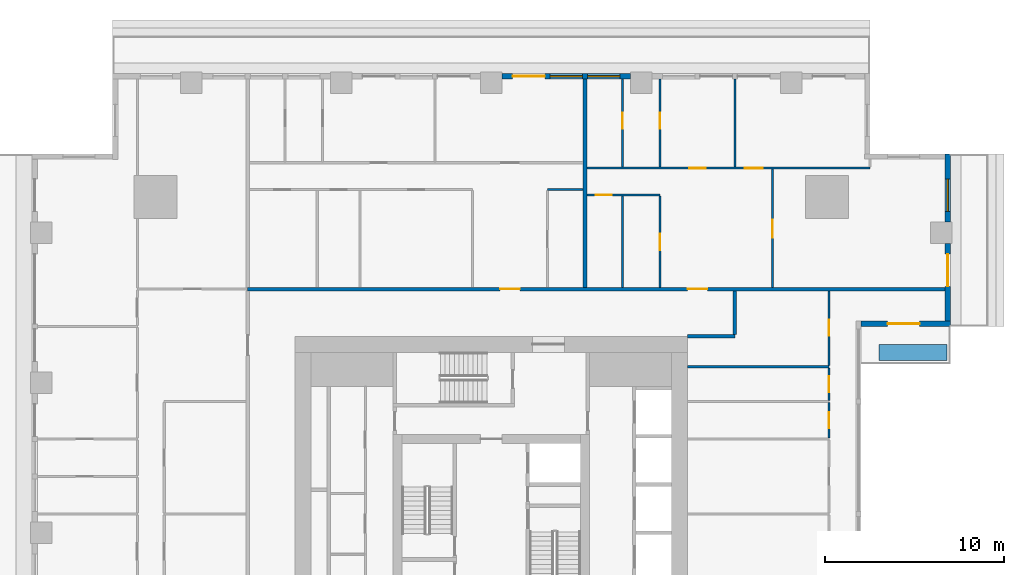
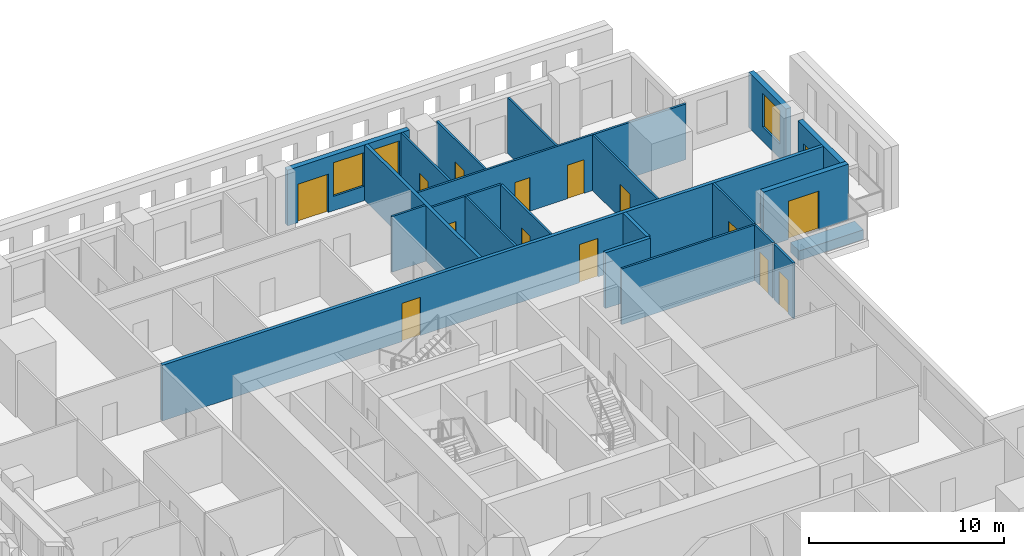
# One storey, part 8 of 15: 22 walls, 15 doors, 3 windows, 18 openings.
"""IFC4 building model written with IfcOpenShell, lengths in metres."""

from ifc_helpers import new_model, si_unit, direction, frame, frame_2d, origin, place, context, subcontext, project, spatial, rectangle, extrude, material, layer, layer_set, type_object, element, fill, save


model = new_model("IFC4")

# Units and contexts
model_context = context("Model", 3, precision=1e-05, world=origin(), true_north=direction((0.0, 1.0)))
body_context = subcontext(model_context, "Body", "Model", "MODEL_VIEW")
ifc_project = project(units=[si_unit("LENGTHUNIT", "METRE"), si_unit("AREAUNIT", "SQUARE_METRE"), si_unit("VOLUMEUNIT", "CUBIC_METRE"), si_unit("PLANEANGLEUNIT", "RADIAN"), si_unit("MASSUNIT", "GRAM", prefix="KILO")], contexts=[model_context])

# Site, building, storey
site_placement = place(None, origin())
site = spatial("IfcSite", under=ifc_project, at=site_placement, CompositionType="ELEMENT")
building_placement = place(site_placement, origin())
building = spatial("IfcBuilding", under=site, at=building_placement, Name="Khepri Terraces", CompositionType="ELEMENT")
storey_placement = place(building_placement, frame((0.0, 0.0, 219.60009765625)))
storey = spatial("IfcBuildingStorey", under=building, at=storey_placement, Name="L52", CompositionType="ELEMENT", Elevation=219.60009765625)

# Walls
ifc_material_1 = material(Name="Fire-rated gypsum plasterboard partition, mineral wool")
ifc_layer_1 = layer(ifc_material_1, 0.199951171875, Name="Fire-rated gypsum plasterboard partition, mineral wool")
ifc_layer_set_1 = layer_set([ifc_layer_1], Name="Fire-rated gypsum plasterboard partition, mineral wool")
wall_type_1 = type_object("IfcWallType", Name="WL-CORR-200", PredefinedType="PARTITIONING", material=ifc_layer_set_1)
wall_1_placement = place(storey_placement, frame((11.0, 11.0, 0.0), z_axis=(0.0, 0.0, 1.0), x_axis=(1.0, 0.0, 0.0)))
element("IfcWall", 1, at=wall_1_placement, inside=storey, type_object=wall_type_1, Name="Partition P-064 L52", PredefinedType="PARTITIONING", context=body_context, shape_type="SweptSolid", body=[
    extrude(rectangle(XDim=2.64990234375, YDim=0.199951171875, at=frame_2d((1.324951171875, 0.0))), origin(), (0.0, 0.0, 1.0), 3.47998046875),
])
wall_2_placement = place(storey_placement, frame((13.64990234375, 11.10009765625, 0.0), z_axis=(0.0, 0.0, 1.0), x_axis=(0.0, 1.0, 0.0)))
element("IfcWall", 2, at=wall_2_placement, inside=storey, type_object=wall_type_1, Name="Partition P-065 L52", PredefinedType="PARTITIONING", context=body_context, shape_type="SweptSolid", body=[
    extrude(rectangle(XDim=2.449951171875, YDim=0.199951171875, at=frame_2d((1.22509765625, 0.0))), origin(), (0.0, 0.0, 1.0), 3.47998046875),
])

# Wall, openings, doors
wall_3_placement = place(storey_placement, frame((-13.64990234375, 13.64990234375, 0.0), z_axis=(0.0, 0.0, 1.0), x_axis=(1.0, 0.0, 0.0)))
wall_3 = element("IfcWall", 3, at=wall_3_placement, inside=storey, type_object=wall_type_1, Name="Partition P-069 L52", PredefinedType="PARTITIONING", context=body_context, shape_type="SweptSolid", body=[
    extrude(rectangle(XDim=39.06982421875, YDim=0.199951171875, at=frame_2d((19.534912109375, 0.0))), origin(), (0.0, 0.0, 1.0), 3.47998046875),
])
opening_1_placement = place(wall_3_placement, frame((24.64990234375, 0.0, 0.0)))
opening_1 = element("IfcOpeningElement", 4, at=opening_1_placement, cuts=wall_3, Name="Opening D1", PredefinedType="OPENING", context=body_context, shape_type="SweptSolid", body=[
    extrude(rectangle(XDim=1.10009765625, YDim=2.39990234375, at=frame_2d((0.550048828125, 1.199951171875))), frame((0.0, 0.10986328125, 0.0), z_axis=(0.0, -1.0, 0.0), x_axis=(1.0, 0.0, 0.0)), (0.0, 0.0, 1.0), 0.219970703125),
])
opening_2_placement = place(wall_3_placement, frame((14.14990234375, 0.0, 0.0)))
opening_2 = element("IfcOpeningElement", 5, at=opening_2_placement, cuts=wall_3, Name="Opening D1", PredefinedType="OPENING", context=body_context, shape_type="SweptSolid", body=[
    extrude(rectangle(XDim=1.10009765625, YDim=2.39990234375, at=frame_2d((0.550048828125, 1.199951171875))), frame((0.0, 0.10986328125, 0.0), z_axis=(0.0, -1.0, 0.0), x_axis=(1.0, 0.0, 0.0)), (0.0, 0.0, 1.0), 0.219970703125),
])
ifc_material_2 = material(Name="Solid-core timber door leaf, flat entrance door", Category="wood")
door_type_1 = type_object("IfcDoorType", Name="DR-ENT-1100", OperationType="NOTDEFINED", PredefinedType="DOOR", material=ifc_material_2)
door_1_placement = place(opening_1_placement, origin())
door_1 = element("IfcDoor", 6, at=door_1_placement, inside=storey, type_object=door_type_1, Name="Flat C1 entrance door", OperationType="SINGLE_SWING_RIGHT", OverallHeight=2.39990234375, OverallWidth=1.10009765625, PredefinedType="DOOR", context=body_context, shape_type="SweptSolid", body=[
    extrude(rectangle(XDim=1.10009765625, YDim=2.39990234375, at=frame_2d((0.550048828125, 1.199951171875))), frame((0.0, 0.02490234375, 0.0), z_axis=(0.0, -1.0, 0.0), x_axis=(1.0, 0.0, 0.0)), (0.0, 0.0, 1.0), 0.050048828125),
])
fill(opening_1, door_1)
door_2_placement = place(opening_2_placement, origin())
door_2 = element("IfcDoor", 7, at=door_2_placement, inside=storey, type_object=door_type_1, Name="Flat C2 entrance door", OperationType="SINGLE_SWING_LEFT", OverallHeight=2.39990234375, OverallWidth=1.10009765625, PredefinedType="DOOR", context=body_context, shape_type="SweptSolid", body=[
    extrude(rectangle(XDim=1.10009765625, YDim=2.39990234375, at=frame_2d((0.550048828125, 1.199951171875))), frame((0.0, 0.02490234375, 0.0), z_axis=(0.0, -1.0, 0.0), x_axis=(1.0, 0.0, 0.0)), (0.0, 0.0, 1.0), 0.050048828125),
])
fill(opening_2, door_2)

# Wall
wall_4_placement = place(storey_placement, frame((5.25, 13.75, 0.0), z_axis=(0.0, 0.0, 1.0), x_axis=(0.0, 1.0, 0.0)))
element("IfcWall", 8, at=wall_4_placement, inside=storey, type_object=wall_type_1, Name="Partition P-076 L52", PredefinedType="PARTITIONING", context=body_context, shape_type="SweptSolid", body=[
    extrude(rectangle(XDim=11.669921875, YDim=0.199951171875, at=frame_2d((5.8349609375, 0.0))), origin(), (0.0, 0.0, 1.0), 3.47998046875),
])

# Wall, opening, door
ifc_material_3 = material(Name="Precast concrete C50/60 warm stone", Category="masonry")
ifc_layer_2 = layer(ifc_material_3, 0.300048828125, Name="Precast concrete C50/60 warm stone", Category="masonry")
ifc_layer_set_2 = layer_set([ifc_layer_2], Name="Precast concrete C50/60 warm stone")
wall_type_2 = type_object("IfcWallType", Name="WL-EXT-PRECAST-300", PredefinedType="STANDARD", material=ifc_layer_set_2)
wall_5_placement = place(storey_placement, frame((20.719970703125, 11.699951171875, 0.0), z_axis=(0.0, 0.0, 1.0), x_axis=(1.0, 0.0, 0.0)))
wall_5 = element("IfcWall", 9, at=wall_5_placement, inside=storey, type_object=wall_type_2, Name="External wall L52 S", PredefinedType="STANDARD", context=body_context, shape_type="SweptSolid", body=[
    extrude(rectangle(XDim=5.0, YDim=0.300048828125, at=frame_2d((2.5, 0.0))), origin(), (0.0, 0.0, 1.0), 3.47998046875),
])
opening_3_placement = place(wall_5_placement, frame((1.47998046875, 0.0, 0.0)))
opening_3 = element("IfcOpeningElement", 10, at=opening_3_placement, cuts=wall_5, Name="Opening ED-L52-04", PredefinedType="OPENING", context=body_context, shape_type="SweptSolid", body=[
    extrude(rectangle(XDim=1.800048828125, YDim=2.39990234375, at=frame_2d((0.89990234375, 1.199951171875))), frame((0.0, 0.16015625, 0.0), z_axis=(0.0, -1.0, 0.0), x_axis=(1.0, 0.0, 0.0)), (0.0, 0.0, 1.0), 0.320068359375),
])
ifc_material_4 = material(Name="Anodised aluminium bronze glazed door", Category="aluminium")
door_type_2 = type_object("IfcDoorType", Name="DR-BAL-SLIDE-1800x2400", OperationType="NOTDEFINED", PredefinedType="DOOR", material=ifc_material_4)
door_3_placement = place(opening_3_placement, origin())
door_3 = element("IfcDoor", 11, at=door_3_placement, inside=storey, type_object=door_type_2, Name="Balcony door L52 S", OperationType="SLIDING_TO_RIGHT", OverallHeight=2.39990234375, OverallWidth=1.800048828125, PredefinedType="DOOR", context=body_context, shape_type="SweptSolid", body=[
    extrude(rectangle(XDim=1.800048828125, YDim=2.39990234375, at=frame_2d((0.89990234375, 1.199951171875))), frame((0.0, 0.02490234375, 0.0), z_axis=(0.0, -1.0, 0.0), x_axis=(1.0, 0.0, 0.0)), (0.0, 0.0, 1.0), 0.050048828125),
])
fill(opening_3, door_3)

wall_6_placement = place(storey_placement, frame((25.570068359375, 11.85009765625, 0.0), z_axis=(0.0, 0.0, 1.0), x_axis=(0.0, 1.0, 0.0)))
wall_6 = element("IfcWall", 12, at=wall_6_placement, inside=storey, type_object=wall_type_2, Name="External wall L52 E", PredefinedType="STANDARD", context=body_context, shape_type="SweptSolid", body=[
    extrude(rectangle(XDim=4.349853515625, YDim=0.300048828125, at=frame_2d((2.1748046875, 0.0))), origin(), (0.0, 0.0, 1.0), 3.47998046875),
])
opening_4_placement = place(wall_6_placement, frame((1.949951171875, 0.0, 0.0)))
opening_4 = element("IfcOpeningElement", 13, at=opening_4_placement, cuts=wall_6, Name="Opening ED-L52-05", PredefinedType="OPENING", context=body_context, shape_type="SweptSolid", body=[
    extrude(rectangle(XDim=1.800048828125, YDim=2.39990234375, at=frame_2d((0.89990234375, 1.199951171875))), frame((0.0, 0.16015625, 0.0), z_axis=(0.0, -1.0, 0.0), x_axis=(1.0, 0.0, 0.0)), (0.0, 0.0, 1.0), 0.320068359375),
])
door_4_placement = place(opening_4_placement, origin())
door_4 = element("IfcDoor", 14, at=door_4_placement, inside=storey, type_object=door_type_2, Name="Balcony door L52 E", OperationType="SLIDING_TO_RIGHT", OverallHeight=2.39990234375, OverallWidth=1.800048828125, PredefinedType="DOOR", context=body_context, shape_type="SweptSolid", body=[
    extrude(rectangle(XDim=1.800048828125, YDim=2.39990234375, at=frame_2d((0.89990234375, 1.199951171875))), frame((0.0, 0.02490234375, 0.0), z_axis=(0.0, -1.0, 0.0), x_axis=(1.0, 0.0, 0.0)), (0.0, 0.0, 1.0), 0.050048828125),
])
fill(opening_4, door_4)

# Wall, opening, window
wall_7_placement = place(storey_placement, frame((25.570068359375, 17.39990234375, 0.0), z_axis=(0.0, 0.0, 1.0), x_axis=(0.0, 1.0, 0.0)))
wall_7 = element("IfcWall", 15, at=wall_7_placement, inside=storey, type_object=wall_type_2, Name="External wall L52 E", PredefinedType="STANDARD", context=body_context, shape_type="SweptSolid", body=[
    extrude(rectangle(XDim=3.820068359375, YDim=0.300048828125, at=frame_2d((1.91015625, 0.0))), origin(), (0.0, 0.0, 1.0), 3.47998046875),
])
opening_5_placement = place(wall_7_placement, frame((0.60009765625, 0.0, 0.89990234375)))
opening_5 = element("IfcOpeningElement", 16, at=opening_5_placement, cuts=wall_7, Name="Opening W1", PredefinedType="OPENING", context=body_context, shape_type="SweptSolid", body=[
    extrude(rectangle(XDim=1.800048828125, YDim=2.10009765625, at=frame_2d((0.89990234375, 1.050048828125))), frame((0.0, 0.16015625, 0.0), z_axis=(0.0, -1.0, 0.0), x_axis=(1.0, 0.0, 0.0)), (0.0, 0.0, 1.0), 0.320068359375),
])
ifc_material_5 = material(Name="Clear glass", Category="glass")
window_type = type_object("IfcWindowType", Name="WIN-RES-1800x2100", PartitioningType="SINGLE_PANEL", PredefinedType="WINDOW", material=ifc_material_5)
window_1_placement = place(opening_5_placement, origin())
window_1 = element("IfcWindow", 17, at=window_1_placement, inside=storey, type_object=window_type, Name="Window L52 E", OverallHeight=2.10009765625, OverallWidth=1.800048828125, PartitioningType="SINGLE_PANEL", PredefinedType="WINDOW", context=body_context, shape_type="SweptSolid", body=[
    extrude(rectangle(XDim=1.800048828125, YDim=2.10009765625, at=frame_2d((0.89990234375, 1.050048828125))), frame((0.0, 0.030029296875, 0.0), z_axis=(0.0, -1.0, 0.0), x_axis=(1.0, 0.0, 0.0)), (0.0, 0.0, 1.0), 0.06005859375),
])
fill(opening_5, window_1)

# Wall, openings, door, windows
wall_8_placement = place(storey_placement, frame((7.800048828125, 25.570068359375, 0.0), z_axis=(0.0, 0.0, 1.0), x_axis=(-1.0, 0.0, 0.0)))
wall_8 = element("IfcWall", 18, at=wall_8_placement, inside=storey, type_object=wall_type_2, Name="External wall L52 N", PredefinedType="STANDARD", context=body_context, shape_type="SweptSolid", body=[
    extrude(rectangle(XDim=7.199951171875, YDim=0.300048828125, at=frame_2d((3.60009765625, 0.0))), origin(), (0.0, 0.0, 1.0), 3.47998046875),
])
opening_6_placement = place(wall_8_placement, frame((0.60009765625, 0.0, 0.89990234375)))
opening_6 = element("IfcOpeningElement", 19, at=opening_6_placement, cuts=wall_8, Name="Opening W1", PredefinedType="OPENING", context=body_context, shape_type="SweptSolid", body=[
    extrude(rectangle(XDim=1.800048828125, YDim=2.10009765625, at=frame_2d((0.89990234375, 1.050048828125))), frame((0.0, 0.16015625, 0.0), z_axis=(0.0, -1.0, 0.0), x_axis=(1.0, 0.0, 0.0)), (0.0, 0.0, 1.0), 0.320068359375),
])
opening_7_placement = place(wall_8_placement, frame((2.699951171875, 0.0, 0.89990234375)))
opening_7 = element("IfcOpeningElement", 20, at=opening_7_placement, cuts=wall_8, Name="Opening W1", PredefinedType="OPENING", context=body_context, shape_type="SweptSolid", body=[
    extrude(rectangle(XDim=1.800048828125, YDim=2.10009765625, at=frame_2d((0.89990234375, 1.050048828125))), frame((0.0, 0.16015625, 0.0), z_axis=(0.0, -1.0, 0.0), x_axis=(1.0, 0.0, 0.0)), (0.0, 0.0, 1.0), 0.320068359375),
])
opening_8_placement = place(wall_8_placement, frame((4.800048828125, 0.0, 0.0)))
opening_8 = element("IfcOpeningElement", 21, at=opening_8_placement, cuts=wall_8, Name="Opening ED-L52-09", PredefinedType="OPENING", context=body_context, shape_type="SweptSolid", body=[
    extrude(rectangle(XDim=1.800048828125, YDim=2.39990234375, at=frame_2d((0.89990234375, 1.199951171875))), frame((0.0, 0.16015625, 0.0), z_axis=(0.0, -1.0, 0.0), x_axis=(1.0, 0.0, 0.0)), (0.0, 0.0, 1.0), 0.320068359375),
])
door_5_placement = place(opening_8_placement, origin())
door_5 = element("IfcDoor", 22, at=door_5_placement, inside=storey, type_object=door_type_2, Name="Balcony door L52 N", OperationType="SLIDING_TO_RIGHT", OverallHeight=2.39990234375, OverallWidth=1.800048828125, PredefinedType="DOOR", context=body_context, shape_type="SweptSolid", body=[
    extrude(rectangle(XDim=1.800048828125, YDim=2.39990234375, at=frame_2d((0.89990234375, 1.199951171875))), frame((0.0, 0.02490234375, 0.0), z_axis=(0.0, -1.0, 0.0), x_axis=(1.0, 0.0, 0.0)), (0.0, 0.0, 1.0), 0.050048828125),
])
fill(opening_8, door_5)
window_2_placement = place(opening_6_placement, origin())
window_2 = element("IfcWindow", 23, at=window_2_placement, inside=storey, type_object=window_type, Name="Window L52 N", OverallHeight=2.10009765625, OverallWidth=1.800048828125, PartitioningType="SINGLE_PANEL", PredefinedType="WINDOW", context=body_context, shape_type="SweptSolid", body=[
    extrude(rectangle(XDim=1.800048828125, YDim=2.10009765625, at=frame_2d((0.89990234375, 1.050048828125))), frame((0.0, 0.030029296875, 0.0), z_axis=(0.0, -1.0, 0.0), x_axis=(1.0, 0.0, 0.0)), (0.0, 0.0, 1.0), 0.06005859375),
])
fill(opening_6, window_2)
window_3_placement = place(opening_7_placement, origin())
window_3 = element("IfcWindow", 24, at=window_3_placement, inside=storey, type_object=window_type, Name="Window L52 N", OverallHeight=2.10009765625, OverallWidth=1.800048828125, PartitioningType="SINGLE_PANEL", PredefinedType="WINDOW", context=body_context, shape_type="SweptSolid", body=[
    extrude(rectangle(XDim=1.800048828125, YDim=2.10009765625, at=frame_2d((0.89990234375, 1.050048828125))), frame((0.0, 0.030029296875, 0.0), z_axis=(0.0, -1.0, 0.0), x_axis=(1.0, 0.0, 0.0)), (0.0, 0.0, 1.0), 0.06005859375),
])
fill(opening_7, window_3)

# Wall, opening, door
ifc_material_6 = material(Name="Gypsum plasterboard partition")
ifc_layer_3 = layer(ifc_material_6, 0.1201171875, Name="Gypsum plasterboard partition")
ifc_layer_set_3 = layer_set([ifc_layer_3], Name="Gypsum plasterboard partition")
wall_type_3 = type_object("IfcWallType", Name="WL-PART-120", PredefinedType="PARTITIONING", material=ifc_layer_set_3)
wall_9_placement = place(storey_placement, frame((18.919921875, 5.31005859375, 0.0), z_axis=(0.0, 0.0, 1.0), x_axis=(0.0, 1.0, 0.0)))
wall_9 = element("IfcWall", 25, at=wall_9_placement, inside=storey, type_object=wall_type_3, Name="Partition P-058 L52", PredefinedType="PARTITIONING", context=body_context, shape_type="SweptSolid", body=[
    extrude(rectangle(XDim=1.97998046875, YDim=0.1201171875, at=frame_2d((0.989990234375, 0.0))), origin(), (0.0, 0.0, 1.0), 3.47998046875),
])
opening_9_placement = place(wall_9_placement, frame((0.5400390625, 0.0, 0.0)))
opening_9 = element("IfcOpeningElement", 26, at=opening_9_placement, cuts=wall_9, Name="Opening D4", PredefinedType="OPENING", context=body_context, shape_type="SweptSolid", body=[
    extrude(rectangle(XDim=0.89990234375, YDim=2.10009765625, at=frame_2d((0.449951171875, 1.050048828125))), frame((0.0, 0.070068359375, 0.0), z_axis=(0.0, -1.0, 0.0), x_axis=(1.0, 0.0, 0.0)), (0.0, 0.0, 1.0), 0.14013671875),
])
ifc_material_7 = material(Name="Timber door leaf, moisture resistant", Category="wood")
door_type_3 = type_object("IfcDoorType", Name="DR-WET-900", OperationType="NOTDEFINED", PredefinedType="DOOR", material=ifc_material_7)
door_6_placement = place(opening_9_placement, origin())
door_6 = element("IfcDoor", 27, at=door_6_placement, inside=storey, type_object=door_type_3, Name="Door Powder Room", OperationType="SINGLE_SWING_RIGHT", OverallHeight=2.10009765625, OverallWidth=0.89990234375, PredefinedType="DOOR", context=body_context, shape_type="SweptSolid", body=[
    extrude(rectangle(XDim=0.89990234375, YDim=2.10009765625, at=frame_2d((0.449951171875, 1.050048828125))), frame((0.0, 0.02490234375, 0.0), z_axis=(0.0, -1.0, 0.0), x_axis=(1.0, 0.0, 0.0)), (0.0, 0.0, 1.0), 0.050048828125),
])
fill(opening_9, door_6)

wall_10_placement = place(storey_placement, frame((18.919921875, 7.409912109375, 0.0), z_axis=(0.0, 0.0, 1.0), x_axis=(0.0, 1.0, 0.0)))
wall_10 = element("IfcWall", 28, at=wall_10_placement, inside=storey, type_object=wall_type_3, Name="Partition P-061 L52", PredefinedType="PARTITIONING", context=body_context, shape_type="SweptSolid", body=[
    extrude(rectangle(XDim=1.830078125, YDim=0.1201171875, at=frame_2d((0.9150390625, 0.0))), origin(), (0.0, 0.0, 1.0), 3.47998046875),
])
opening_10_placement = place(wall_10_placement, frame((0.465087890625, 0.0, 0.0)))
opening_10 = element("IfcOpeningElement", 29, at=opening_10_placement, cuts=wall_10, Name="Opening D4", PredefinedType="OPENING", context=body_context, shape_type="SweptSolid", body=[
    extrude(rectangle(XDim=0.89990234375, YDim=2.10009765625, at=frame_2d((0.449951171875, 1.050048828125))), frame((0.0, 0.070068359375, 0.0), z_axis=(0.0, -1.0, 0.0), x_axis=(1.0, 0.0, 0.0)), (0.0, 0.0, 1.0), 0.14013671875),
])
door_7_placement = place(opening_10_placement, origin())
door_7 = element("IfcDoor", 30, at=door_7_placement, inside=storey, type_object=door_type_3, Name="Door Guest Bathroom", OperationType="SINGLE_SWING_LEFT", OverallHeight=2.10009765625, OverallWidth=0.89990234375, PredefinedType="DOOR", context=body_context, shape_type="SweptSolid", body=[
    extrude(rectangle(XDim=0.89990234375, YDim=2.10009765625, at=frame_2d((0.449951171875, 1.050048828125))), frame((0.0, 0.02490234375, 0.0), z_axis=(0.0, -1.0, 0.0), x_axis=(1.0, 0.0, 0.0)), (0.0, 0.0, 1.0), 0.050048828125),
])
fill(opening_10, door_7)

# Wall
wall_11_placement = place(storey_placement, frame((11.0, 9.300048828125, 0.0), z_axis=(0.0, 0.0, 1.0), x_axis=(1.0, 0.0, 0.0)))
element("IfcWall", 31, at=wall_11_placement, inside=storey, type_object=wall_type_3, Name="Partition P-062 L52", PredefinedType="PARTITIONING", context=body_context, shape_type="SweptSolid", body=[
    extrude(rectangle(XDim=7.919921875, YDim=0.1201171875, at=frame_2d((3.9599609375, 0.0))), origin(), (0.0, 0.0, 1.0), 3.47998046875),
])

# Wall, opening, door
wall_12_placement = place(storey_placement, frame((18.919921875, 9.360107421875, 0.0), z_axis=(0.0, 0.0, 1.0), x_axis=(0.0, 1.0, 0.0)))
wall_12 = element("IfcWall", 32, at=wall_12_placement, inside=storey, type_object=wall_type_3, Name="Partition P-063 L52", PredefinedType="PARTITIONING", context=body_context, shape_type="SweptSolid", body=[
    extrude(rectangle(XDim=4.18994140625, YDim=0.1201171875, at=frame_2d((2.094970703125, 0.0))), origin(), (0.0, 0.0, 1.0), 3.47998046875),
])
opening_11_placement = place(wall_12_placement, frame((1.6650390625, 0.0, 0.0)))
opening_11 = element("IfcOpeningElement", 33, at=opening_11_placement, cuts=wall_12, Name="Opening D3", PredefinedType="OPENING", context=body_context, shape_type="SweptSolid", body=[
    extrude(rectangle(XDim=0.89990234375, YDim=2.10009765625, at=frame_2d((0.449951171875, 1.050048828125))), frame((0.0, 0.070068359375, 0.0), z_axis=(0.0, -1.0, 0.0), x_axis=(1.0, 0.0, 0.0)), (0.0, 0.0, 1.0), 0.14013671875),
])
ifc_material_8 = material(Name="Timber door leaf", Category="wood")
door_type_4 = type_object("IfcDoorType", Name="DR-INT-900", OperationType="NOTDEFINED", PredefinedType="DOOR", material=ifc_material_8)
door_8_placement = place(opening_11_placement, origin())
door_8 = element("IfcDoor", 34, at=door_8_placement, inside=storey, type_object=door_type_4, Name="Door Library", OperationType="SINGLE_SWING_RIGHT", OverallHeight=2.10009765625, OverallWidth=0.89990234375, PredefinedType="DOOR", context=body_context, shape_type="SweptSolid", body=[
    extrude(rectangle(XDim=0.89990234375, YDim=2.10009765625, at=frame_2d((0.449951171875, 1.050048828125))), frame((0.0, 0.02490234375, 0.0), z_axis=(0.0, -1.0, 0.0), x_axis=(1.0, 0.0, 0.0)), (0.0, 0.0, 1.0), 0.050048828125),
])
fill(opening_11, door_8)

# Wall
wall_13_placement = place(storey_placement, frame((7.35009765625, 13.75, 0.0), z_axis=(0.0, 0.0, 1.0), x_axis=(0.0, 1.0, 0.0)))
element("IfcWall", 35, at=wall_13_placement, inside=storey, type_object=wall_type_3, Name="Partition P-077 L52", PredefinedType="PARTITIONING", context=body_context, shape_type="SweptSolid", body=[
    extrude(rectangle(XDim=5.110107421875, YDim=0.1201171875, at=frame_2d((2.55517578125, 0.0))), origin(), (0.0, 0.0, 1.0), 3.47998046875),
])

# Wall, opening, door
wall_14_placement = place(storey_placement, frame((9.449951171875, 13.75, 0.0), z_axis=(0.0, 0.0, 1.0), x_axis=(0.0, 1.0, 0.0)))
wall_14 = element("IfcWall", 36, at=wall_14_placement, inside=storey, type_object=wall_type_3, Name="Partition P-078 L52", PredefinedType="PARTITIONING", context=body_context, shape_type="SweptSolid", body=[
    extrude(rectangle(XDim=5.110107421875, YDim=0.1201171875, at=frame_2d((2.55517578125, 0.0))), origin(), (0.0, 0.0, 1.0), 3.47998046875),
])
opening_12_placement = place(wall_14_placement, frame((2.0849609375, 0.0, 0.0)))
opening_12 = element("IfcOpeningElement", 37, at=opening_12_placement, cuts=wall_14, Name="Opening D4", PredefinedType="OPENING", context=body_context, shape_type="SweptSolid", body=[
    extrude(rectangle(XDim=0.89990234375, YDim=2.10009765625, at=frame_2d((0.449951171875, 1.050048828125))), frame((0.0, 0.070068359375, 0.0), z_axis=(0.0, -1.0, 0.0), x_axis=(1.0, 0.0, 0.0)), (0.0, 0.0, 1.0), 0.14013671875),
])
door_9_placement = place(opening_12_placement, origin())
door_9 = element("IfcDoor", 38, at=door_9_placement, inside=storey, type_object=door_type_3, Name="Door Guest Bathroom", OperationType="SINGLE_SWING_LEFT", OverallHeight=2.10009765625, OverallWidth=0.89990234375, PredefinedType="DOOR", context=body_context, shape_type="SweptSolid", body=[
    extrude(rectangle(XDim=0.89990234375, YDim=2.10009765625, at=frame_2d((0.449951171875, 1.050048828125))), frame((0.0, 0.02490234375, 0.0), z_axis=(0.0, -1.0, 0.0), x_axis=(1.0, 0.0, 0.0)), (0.0, 0.0, 1.0), 0.050048828125),
])
fill(opening_12, door_9)

wall_15_placement = place(storey_placement, frame((15.75, 13.75, 0.0), z_axis=(0.0, 0.0, 1.0), x_axis=(0.0, 1.0, 0.0)))
wall_15 = element("IfcWall", 39, at=wall_15_placement, inside=storey, type_object=wall_type_3, Name="Partition P-079 L52", PredefinedType="PARTITIONING", context=body_context, shape_type="SweptSolid", body=[
    extrude(rectangle(XDim=6.610107421875, YDim=0.1201171875, at=frame_2d((3.30517578125, 0.0))), origin(), (0.0, 0.0, 1.0), 3.47998046875),
])
opening_13_placement = place(wall_15_placement, frame((2.784912109375, 0.0, 0.0)))
opening_13 = element("IfcOpeningElement", 40, at=opening_13_placement, cuts=wall_15, Name="Opening D2", PredefinedType="OPENING", context=body_context, shape_type="SweptSolid", body=[
    extrude(rectangle(XDim=1.0, YDim=2.10009765625, at=frame_2d((0.5, 1.050048828125))), frame((0.0, 0.070068359375, 0.0), z_axis=(0.0, -1.0, 0.0), x_axis=(1.0, 0.0, 0.0)), (0.0, 0.0, 1.0), 0.14013671875),
])
ifc_material_9 = material(Name="Timber door leaf, living room door", Category="wood")
door_type_5 = type_object("IfcDoorType", Name="DR-INT-1000", OperationType="NOTDEFINED", PredefinedType="DOOR", material=ifc_material_9)
door_10_placement = place(opening_13_placement, frame((1.0, 0.0, 0.0), z_axis=(0.0, 0.0, 1.0), x_axis=(-1.0, 0.0, 0.0)))
door_10 = element("IfcDoor", 41, at=door_10_placement, inside=storey, type_object=door_type_5, Name="Door Family Room", OperationType="SINGLE_SWING_RIGHT", OverallHeight=2.10009765625, OverallWidth=1.0, PredefinedType="DOOR", context=body_context, shape_type="SweptSolid", body=[
    extrude(rectangle(XDim=1.0, YDim=2.10009765625, at=frame_2d((0.5, 1.050048828125))), frame((0.0, 0.02490234375, 0.0), z_axis=(0.0, -1.0, 0.0), x_axis=(1.0, 0.0, 0.0)), (0.0, 0.0, 1.0), 0.050048828125),
])
fill(opening_13, door_10)

wall_16_placement = place(storey_placement, frame((5.35009765625, 18.919921875, 0.0), z_axis=(0.0, 0.0, 1.0), x_axis=(1.0, 0.0, 0.0)))
wall_16 = element("IfcWall", 42, at=wall_16_placement, inside=storey, type_object=wall_type_3, Name="Partition P-080 L52", PredefinedType="PARTITIONING", context=body_context, shape_type="SweptSolid", body=[
    extrude(rectangle(XDim=4.099853515625, YDim=0.1201171875, at=frame_2d((2.0498046875, 0.0))), origin(), (0.0, 0.0, 1.0), 3.47998046875),
])
opening_14_placement = place(wall_16_placement, frame((0.5, 0.0, 0.0)))
opening_14 = element("IfcOpeningElement", 43, at=opening_14_placement, cuts=wall_16, Name="Opening D3", PredefinedType="OPENING", context=body_context, shape_type="SweptSolid", body=[
    extrude(rectangle(XDim=0.89990234375, YDim=2.10009765625, at=frame_2d((0.449951171875, 1.050048828125))), frame((0.0, 0.070068359375, 0.0), z_axis=(0.0, -1.0, 0.0), x_axis=(1.0, 0.0, 0.0)), (0.0, 0.0, 1.0), 0.14013671875),
])
door_11_placement = place(opening_14_placement, frame((0.89990234375, 0.0, 0.0), z_axis=(0.0, 0.0, 1.0), x_axis=(-1.0, 0.0, 0.0)))
door_11 = element("IfcDoor", 44, at=door_11_placement, inside=storey, type_object=door_type_4, Name="Door Kitchen", OperationType="SINGLE_SWING_RIGHT", OverallHeight=2.10009765625, OverallWidth=0.89990234375, PredefinedType="DOOR", context=body_context, shape_type="SweptSolid", body=[
    extrude(rectangle(XDim=0.89990234375, YDim=2.10009765625, at=frame_2d((0.449951171875, 1.050048828125))), frame((0.0, 0.02490234375, 0.0), z_axis=(0.0, -1.0, 0.0), x_axis=(1.0, 0.0, 0.0)), (0.0, 0.0, 1.0), 0.050048828125),
])
fill(opening_14, door_11)

# Wall
wall_17_placement = place(storey_placement, frame((3.14990234375, 19.219970703125, 0.0), z_axis=(0.0, 0.0, 1.0), x_axis=(1.0, 0.0, 0.0)))
element("IfcWall", 45, at=wall_17_placement, inside=storey, type_object=wall_type_3, Name="Partition P-082 L52", PredefinedType="PARTITIONING", context=body_context, shape_type="SweptSolid", body=[
    extrude(rectangle(XDim=2.0, YDim=0.1201171875, at=frame_2d((1.0, 0.0))), origin(), (0.0, 0.0, 1.0), 3.47998046875),
])

# Wall, openings, doors
wall_18_placement = place(storey_placement, frame((5.35009765625, 20.419921875, 0.0), z_axis=(0.0, 0.0, 1.0), x_axis=(1.0, 0.0, 0.0)))
wall_18 = element("IfcWall", 46, at=wall_18_placement, inside=storey, type_object=wall_type_3, Name="Partition P-084 L52", PredefinedType="PARTITIONING", context=body_context, shape_type="SweptSolid", body=[
    extrude(rectangle(XDim=15.868896484375, YDim=0.1201171875, at=frame_2d((7.9345703125, 0.0))), origin(), (0.0, 0.0, 1.0), 3.47998046875),
])
opening_15_placement = place(wall_18_placement, frame((8.85009765625, 0.0, 0.0)))
opening_15 = element("IfcOpeningElement", 47, at=opening_15_placement, cuts=wall_18, Name="Opening D2", PredefinedType="OPENING", context=body_context, shape_type="SweptSolid", body=[
    extrude(rectangle(XDim=1.0, YDim=2.10009765625, at=frame_2d((0.5, 1.050048828125))), frame((0.0, 0.070068359375, 0.0), z_axis=(0.0, -1.0, 0.0), x_axis=(1.0, 0.0, 0.0)), (0.0, 0.0, 1.0), 0.14013671875),
])
opening_16_placement = place(wall_18_placement, frame((5.75, 0.0, 0.0)))
opening_16 = element("IfcOpeningElement", 48, at=opening_16_placement, cuts=wall_18, Name="Opening D3", PredefinedType="OPENING", context=body_context, shape_type="SweptSolid", body=[
    extrude(rectangle(XDim=0.89990234375, YDim=2.10009765625, at=frame_2d((0.449951171875, 1.050048828125))), frame((0.0, 0.070068359375, 0.0), z_axis=(0.0, -1.0, 0.0), x_axis=(1.0, 0.0, 0.0)), (0.0, 0.0, 1.0), 0.14013671875),
])
door_12_placement = place(opening_15_placement, origin())
door_12 = element("IfcDoor", 49, at=door_12_placement, inside=storey, type_object=door_type_5, Name="Door Sun Lounge", OperationType="SINGLE_SWING_RIGHT", OverallHeight=2.10009765625, OverallWidth=1.0, PredefinedType="DOOR", context=body_context, shape_type="SweptSolid", body=[
    extrude(rectangle(XDim=1.0, YDim=2.10009765625, at=frame_2d((0.5, 1.050048828125))), frame((0.0, 0.02490234375, 0.0), z_axis=(0.0, -1.0, 0.0), x_axis=(1.0, 0.0, 0.0)), (0.0, 0.0, 1.0), 0.050048828125),
])
fill(opening_15, door_12)
door_13_placement = place(opening_16_placement, origin())
door_13 = element("IfcDoor", 50, at=door_13_placement, inside=storey, type_object=door_type_4, Name="Door Master Bedroom", OperationType="SINGLE_SWING_LEFT", OverallHeight=2.10009765625, OverallWidth=0.89990234375, PredefinedType="DOOR", context=body_context, shape_type="SweptSolid", body=[
    extrude(rectangle(XDim=0.89990234375, YDim=2.10009765625, at=frame_2d((0.449951171875, 1.050048828125))), frame((0.0, 0.02490234375, 0.0), z_axis=(0.0, -1.0, 0.0), x_axis=(1.0, 0.0, 0.0)), (0.0, 0.0, 1.0), 0.050048828125),
])
fill(opening_16, door_13)

# Wall, opening, door
wall_19_placement = place(storey_placement, frame((7.35009765625, 20.47998046875, 0.0), z_axis=(0.0, 0.0, 1.0), x_axis=(0.0, 1.0, 0.0)))
wall_19 = element("IfcWall", 51, at=wall_19_placement, inside=storey, type_object=wall_type_3, Name="Partition P-085 L52", PredefinedType="PARTITIONING", context=body_context, shape_type="SweptSolid", body=[
    extrude(rectangle(XDim=4.93994140625, YDim=0.1201171875, at=frame_2d((2.469970703125, 0.0))), origin(), (0.0, 0.0, 1.0), 3.47998046875),
])
opening_17_placement = place(wall_19_placement, frame((2.139892578125, 0.0, 0.0)))
opening_17 = element("IfcOpeningElement", 52, at=opening_17_placement, cuts=wall_19, Name="Opening D4", PredefinedType="OPENING", context=body_context, shape_type="SweptSolid", body=[
    extrude(rectangle(XDim=0.89990234375, YDim=2.10009765625, at=frame_2d((0.449951171875, 1.050048828125))), frame((0.0, 0.070068359375, 0.0), z_axis=(0.0, -1.0, 0.0), x_axis=(1.0, 0.0, 0.0)), (0.0, 0.0, 1.0), 0.14013671875),
])
door_14_placement = place(opening_17_placement, origin())
door_14 = element("IfcDoor", 53, at=door_14_placement, inside=storey, type_object=door_type_3, Name="Door Bathroom", OperationType="SINGLE_SWING_RIGHT", OverallHeight=2.10009765625, OverallWidth=0.89990234375, PredefinedType="DOOR", context=body_context, shape_type="SweptSolid", body=[
    extrude(rectangle(XDim=0.89990234375, YDim=2.10009765625, at=frame_2d((0.449951171875, 1.050048828125))), frame((0.0, 0.02490234375, 0.0), z_axis=(0.0, -1.0, 0.0), x_axis=(1.0, 0.0, 0.0)), (0.0, 0.0, 1.0), 0.050048828125),
])
fill(opening_17, door_14)

wall_20_placement = place(storey_placement, frame((9.449951171875, 20.47998046875, 0.0), z_axis=(0.0, 0.0, 1.0), x_axis=(0.0, 1.0, 0.0)))
wall_20 = element("IfcWall", 54, at=wall_20_placement, inside=storey, type_object=wall_type_3, Name="Partition P-086 L52", PredefinedType="PARTITIONING", context=body_context, shape_type="SweptSolid", body=[
    extrude(rectangle(XDim=4.93994140625, YDim=0.1201171875, at=frame_2d((2.469970703125, 0.0))), origin(), (0.0, 0.0, 1.0), 3.47998046875),
])
opening_18_placement = place(wall_20_placement, frame((2.139892578125, 0.0, 0.0)))
opening_18 = element("IfcOpeningElement", 55, at=opening_18_placement, cuts=wall_20, Name="Opening D3", PredefinedType="OPENING", context=body_context, shape_type="SweptSolid", body=[
    extrude(rectangle(XDim=0.89990234375, YDim=2.10009765625, at=frame_2d((0.449951171875, 1.050048828125))), frame((0.0, 0.070068359375, 0.0), z_axis=(0.0, -1.0, 0.0), x_axis=(1.0, 0.0, 0.0)), (0.0, 0.0, 1.0), 0.14013671875),
])
door_15_placement = place(opening_18_placement, origin())
door_15 = element("IfcDoor", 56, at=door_15_placement, inside=storey, type_object=door_type_4, Name="Door Dressing Room", OperationType="SINGLE_SWING_RIGHT", OverallHeight=2.10009765625, OverallWidth=0.89990234375, PredefinedType="DOOR", context=body_context, shape_type="SweptSolid", body=[
    extrude(rectangle(XDim=0.89990234375, YDim=2.10009765625, at=frame_2d((0.449951171875, 1.050048828125))), frame((0.0, 0.02490234375, 0.0), z_axis=(0.0, -1.0, 0.0), x_axis=(1.0, 0.0, 0.0)), (0.0, 0.0, 1.0), 0.050048828125),
])
fill(opening_18, door_15)

# Walls
wall_21_placement = place(storey_placement, frame((13.64990234375, 20.47998046875, 0.0), z_axis=(0.0, 0.0, 1.0), x_axis=(0.0, 1.0, 0.0)))
element("IfcWall", 57, at=wall_21_placement, inside=storey, type_object=wall_type_3, Name="Partition P-087 L52", PredefinedType="PARTITIONING", context=body_context, shape_type="SweptSolid", body=[
    extrude(rectangle(XDim=4.93994140625, YDim=0.1201171875, at=frame_2d((2.469970703125, 0.0))), origin(), (0.0, 0.0, 1.0), 3.47998046875),
])
ifc_layer_4 = layer(ifc_material_3, 0.89990234375, Name="Precast concrete C50/60 warm stone", Category="masonry")
ifc_layer_set_4 = layer_set([ifc_layer_4], Name="Precast concrete C50/60 warm stone")
wall_type_4 = type_object("IfcWallType", Name="WL-PLANTER-900", PredefinedType="MOVABLE", material=ifc_layer_set_4)
wall_22_placement = place(storey_placement, frame((21.719970703125, 10.10009765625, 0.0), z_axis=(0.0, 0.0, 1.0), x_axis=(1.0, 0.0, 0.0)))
element("IfcWall", 58, at=wall_22_placement, inside=storey, type_object=wall_type_4, Name="Planter L52", PredefinedType="MOVABLE", context=body_context, shape_type="SweptSolid", body=[
    extrude(rectangle(XDim=3.800048828125, YDim=0.89990234375, at=frame_2d((1.89990234375, 0.0))), origin(), (0.0, 0.0, 1.0), 0.599853515625),
])

save(model, "model.ifc")
